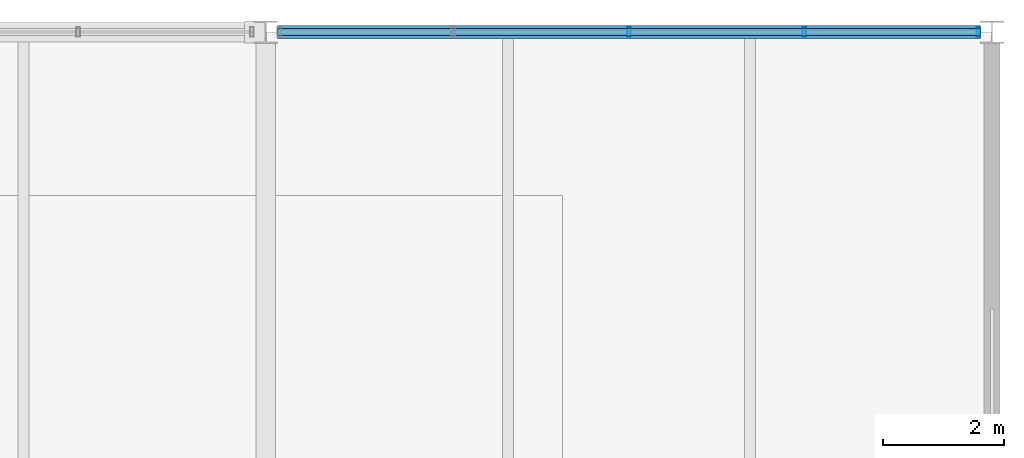
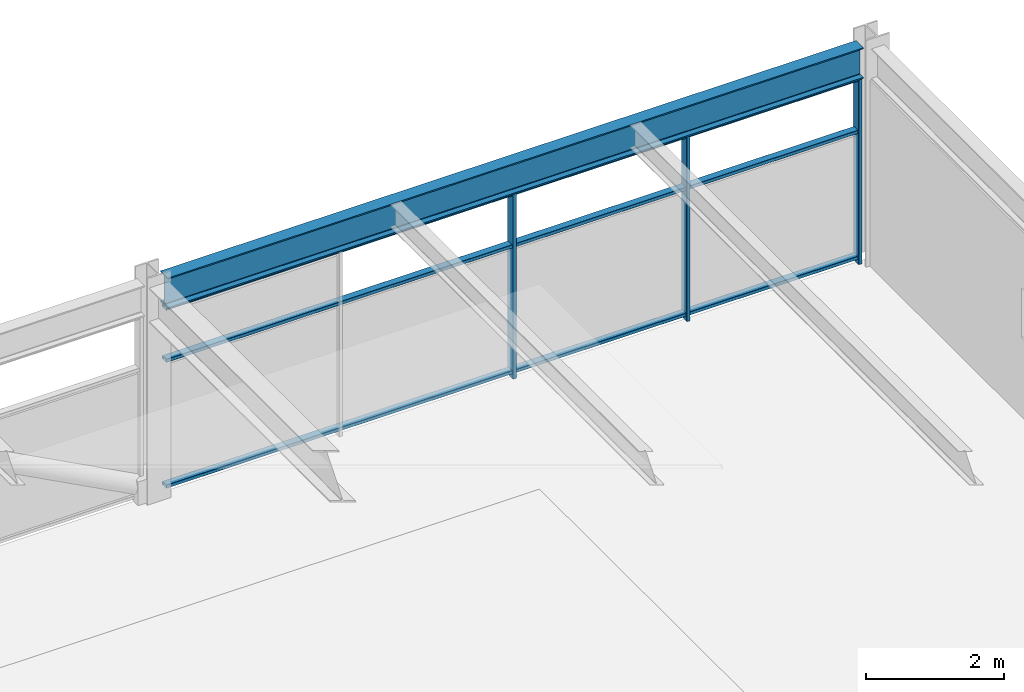
# One storey, part 41 of 51: 6 members, 1 beam, 1 element without a shape of its own.
"""IFC4 building model written with IfcOpenShell, lengths in metres."""

from ifc_helpers import new_model, si_unit, direction, frame, origin, origin_2d, place, context, subcontext, project, spatial, hollow_rectangle, i_section, extrude, material, material_profile, profile_set, type_object, element, aggregate, save


model = new_model("IFC4")

# Units and contexts
model_context = context("Model", 3, precision=1e-05, world=origin(), true_north=direction((0.0, 1.0)))
body_context = subcontext(model_context, "Body", "Model", "MODEL_VIEW")
ifc_project = project(units=[si_unit("LENGTHUNIT", "METRE"), si_unit("AREAUNIT", "SQUARE_METRE"), si_unit("VOLUMEUNIT", "CUBIC_METRE"), si_unit("PLANEANGLEUNIT", "RADIAN"), si_unit("MASSUNIT", "GRAM", prefix="KILO")], contexts=[model_context])

# Site, building, storey
site_placement = place(None, origin())
site = spatial("IfcSite", under=ifc_project, at=site_placement, CompositionType="ELEMENT")
building_placement = place(site_placement, origin())
building = spatial("IfcBuilding", under=site, at=building_placement, Name="Girod Span Mobility Hub", CompositionType="ELEMENT")
storey_placement = place(building_placement, frame((0.0, 0.0, 41.60009765625)))
storey = spatial("IfcBuildingStorey", under=building, at=storey_placement, Name="L10", CompositionType="ELEMENT", Elevation=41.60009765625)

# Beam
ifc_material_1 = material(Name="Steel A992 Grade 50", Category="steel")
ifc_material_profile_1 = material_profile(ifc_material_1, i_section(OverallWidth=0.2119140625, OverallDepth=0.5439453125, WebThickness=0.01318359375, FlangeThickness=0.021240234375, FilletRadius=0.014892578125, at=origin_2d()), Name="W21X83")
ifc_profile_set_1 = profile_set([ifc_material_profile_1], Name="Steel A992 Grade 50")
beam_type = type_object("IfcBeamType", Name="BM-STL-W21X83", PredefinedType="SPANDREL", material=ifc_profile_set_1)
beam_placement = place(storey_placement, frame((132.194091796875, 69.0, 3.552978515625), z_axis=(1.0, 0.0, 0.0), x_axis=(0.0, 1.0, 0.0)))
element("IfcBeam", 1, at=beam_placement, inside=storey, type_object=beam_type, Name="Girder 12-13/F L10", PredefinedType="SPANDREL", context=body_context, shape_type="SweptSolid", body=[
    extrude(i_section(OverallWidth=0.2119140625, OverallDepth=0.5439453125, WebThickness=0.01318359375, FlangeThickness=0.021240234375, FilletRadius=0.014892578125, at=origin_2d()), origin(), (0.0, 0.0, 1.0), 11.61181640625),
])

# Curtain wall, members
ifc_material_2 = material(Name="Thermally Broken Anodised Aluminium", Category="aluminium")
curtain_wall_type = type_object("IfcCurtainWallType", Name="CW-1161X328", PredefinedType="USERDEFINED", material=ifc_material_2)
curtain_wall_placement = place(storey_placement, origin())
curtain_wall = element("IfcCurtainWall", 2, at=curtain_wall_placement, inside=storey, type_object=curtain_wall_type, Name="Unitised Curtain Wall CW-L10-N12 L10", ObjectType="UNITISED CURTAIN WALL", PredefinedType="USERDEFINED")
ifc_material_3 = material(Name="Thermally Broken Anodised Aluminium", Category="aluminium")
ifc_material_profile_2 = material_profile(ifc_material_3, hollow_rectangle(XDim=0.159912109375, YDim=0.06005859375, WallThickness=0.00341796875, InnerFilletRadius=0.00341796875, OuterFilletRadius=0.007080078125, at=origin_2d()), Name="CW-ML-60X160")
ifc_profile_set_2 = profile_set([ifc_material_profile_2], Name="Thermally Broken Anodised Aluminium")
member_type_1 = type_object("IfcMemberType", Name="CWM-ML-3", PredefinedType="MULLION", material=ifc_profile_set_2)
member_1_placement = place(storey_placement, frame((138.0, 69.0, 0.0), z_axis=(0.0, 0.0, 1.0), x_axis=(0.0, 1.0, 0.0)))
member_1 = element("IfcMember", 3, at=member_1_placement, type_object=member_type_1, Name="Curtain Wall Mullion CW-L10-N12-M2", PredefinedType="MULLION", context=body_context, shape_type="SweptSolid", body=[
    extrude(hollow_rectangle(XDim=0.159912109375, YDim=0.06005859375, WallThickness=0.00341796875, InnerFilletRadius=0.00341796875, OuterFilletRadius=0.007080078125, at=origin_2d()), origin(), (0.0, 0.0, 1.0), 3.281005859375),
])
member_2_placement = place(storey_placement, frame((140.902587890625, 69.0, 0.0), z_axis=(0.0, 0.0, 1.0), x_axis=(0.0, 1.0, 0.0)))
member_2 = element("IfcMember", 4, at=member_2_placement, type_object=member_type_1, Name="Curtain Wall Mullion CW-L10-N12-M3", PredefinedType="MULLION", context=body_context, shape_type="SweptSolid", body=[
    extrude(hollow_rectangle(XDim=0.159912109375, YDim=0.06005859375, WallThickness=0.00341796875, InnerFilletRadius=0.00341796875, OuterFilletRadius=0.007080078125, at=origin_2d()), origin(), (0.0, 0.0, 1.0), 3.281005859375),
])
member_3_placement = place(storey_placement, frame((143.77294921875, 69.0, 0.0), z_axis=(0.0, 0.0, 1.0), x_axis=(0.0, 1.0, 0.0)))
member_3 = element("IfcMember", 5, at=member_3_placement, type_object=member_type_1, Name="Curtain Wall Mullion CW-L10-N12-M4", PredefinedType="MULLION", context=body_context, shape_type="SweptSolid", body=[
    extrude(hollow_rectangle(XDim=0.159912109375, YDim=0.06005859375, WallThickness=0.00341796875, InnerFilletRadius=0.00341796875, OuterFilletRadius=0.007080078125, at=origin_2d()), origin(), (0.0, 0.0, 1.0), 3.281005859375),
])
ifc_material_4 = material(Name="Thermally Broken Anodised Aluminium", Category="aluminium")
ifc_material_profile_3 = material_profile(ifc_material_4, hollow_rectangle(XDim=0.1201171875, YDim=0.06005859375, WallThickness=0.00341796875, InnerFilletRadius=0.00341796875, OuterFilletRadius=0.007080078125, at=origin_2d()), Name="CW-TR-60X120")
ifc_profile_set_3 = profile_set([ifc_material_profile_3], Name="Thermally Broken Anodised Aluminium")
member_type_2 = type_object("IfcMemberType", Name="CWM-TR-3", PredefinedType="USERDEFINED", material=ifc_profile_set_3)
member_4_placement = place(storey_placement, frame((132.195068359375, 69.0, 0.10986328125), z_axis=(1.0, 0.0, 0.0), x_axis=(0.0, 1.0, 0.0)))
member_4 = element("IfcMember", 6, at=member_4_placement, type_object=member_type_2, Name="Curtain Wall Transom CW-L10-N12-T1", ObjectType="TRANSOM", PredefinedType="USERDEFINED", context=body_context, shape_type="SweptSolid", body=[
    extrude(hollow_rectangle(XDim=0.1201171875, YDim=0.06005859375, WallThickness=0.00341796875, InnerFilletRadius=0.00341796875, OuterFilletRadius=0.007080078125, at=origin_2d()), origin(), (0.0, 0.0, 1.0), 11.60986328125),
])
member_5_placement = place(storey_placement, frame((132.195068359375, 69.0, 2.332275390625), z_axis=(1.0, 0.0, 0.0), x_axis=(0.0, 1.0, 0.0)))
member_5 = element("IfcMember", 7, at=member_5_placement, type_object=member_type_2, Name="Curtain Wall Transom CW-L10-N12-T2", ObjectType="TRANSOM", PredefinedType="USERDEFINED", context=body_context, shape_type="SweptSolid", body=[
    extrude(hollow_rectangle(XDim=0.1201171875, YDim=0.06005859375, WallThickness=0.00341796875, InnerFilletRadius=0.00341796875, OuterFilletRadius=0.007080078125, at=origin_2d()), origin(), (0.0, 0.0, 1.0), 11.60986328125),
])
member_6_placement = place(storey_placement, frame((132.195068359375, 69.0, 3.2509765625), z_axis=(1.0, 0.0, 0.0), x_axis=(0.0, 1.0, 0.0)))
member_6 = element("IfcMember", 8, at=member_6_placement, type_object=member_type_2, Name="Curtain Wall Transom CW-L10-N12-T3", ObjectType="TRANSOM", PredefinedType="USERDEFINED", context=body_context, shape_type="SweptSolid", body=[
    extrude(hollow_rectangle(XDim=0.1201171875, YDim=0.06005859375, WallThickness=0.00341796875, InnerFilletRadius=0.00341796875, OuterFilletRadius=0.007080078125, at=origin_2d()), origin(), (0.0, 0.0, 1.0), 11.60986328125),
])
aggregate(curtain_wall, [member_1, member_2, member_3, member_4, member_5, member_6])

save(model, "model.ifc")
